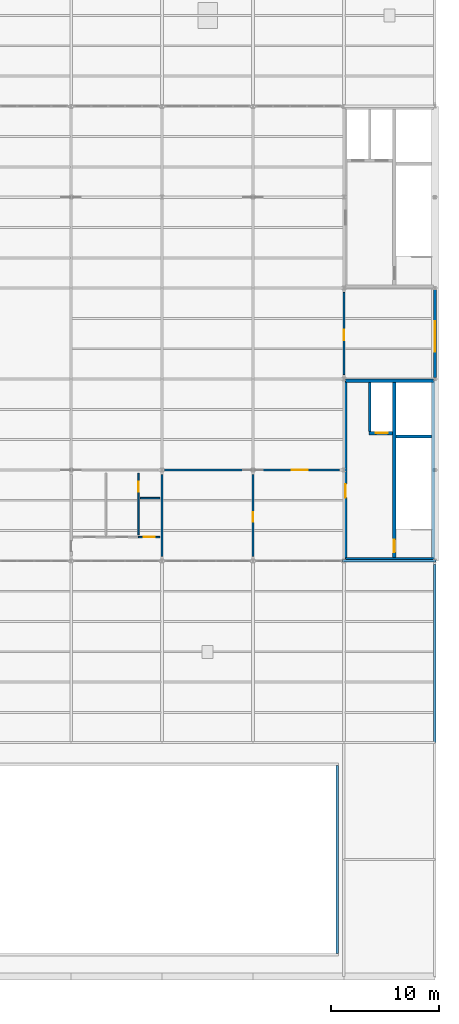
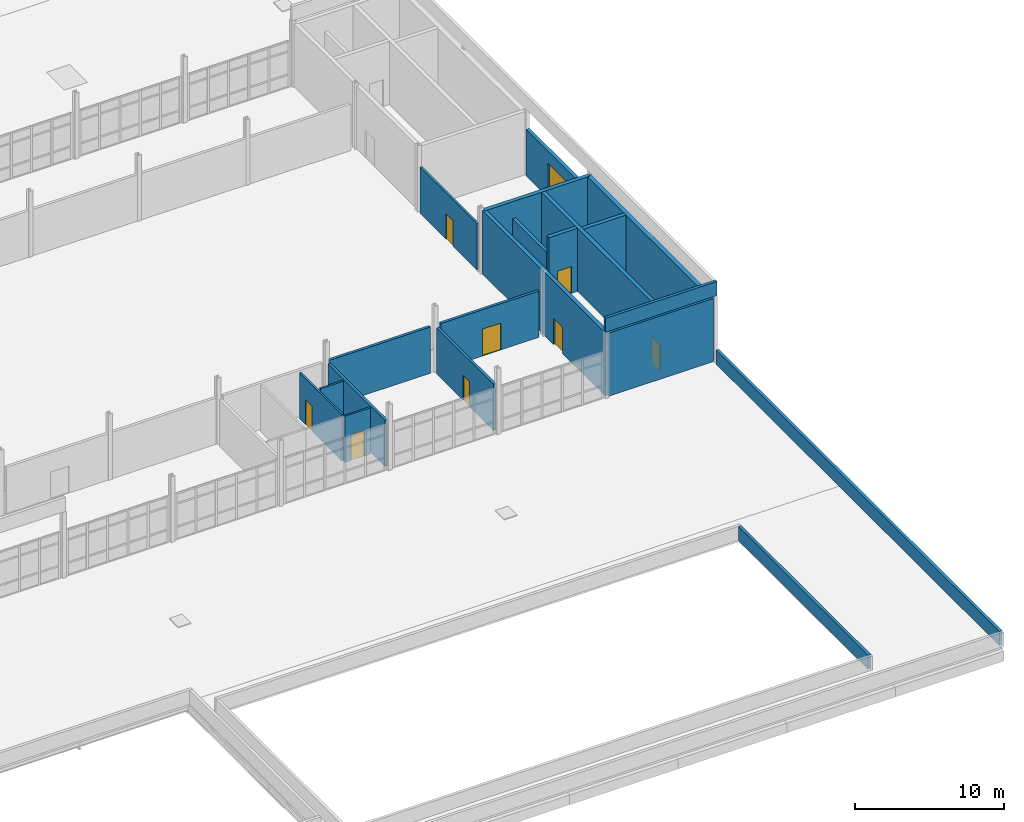
# One storey, part 30 of 33: 20 walls, 8 doors, 1 window, 9 openings.
"""IFC4 building model written with IfcOpenShell, lengths in metres."""

from ifc_helpers import new_model, si_unit, direction, frame, frame_2d, origin, place, context, subcontext, project, spatial, rectangle, extrude, material, layer, layer_set, type_object, element, fill, save


model = new_model("IFC4")

# Units and contexts
model_context = context("Model", 3, precision=1e-05, world=origin(), true_north=direction((0.0, 1.0)))
body_context = subcontext(model_context, "Body", "Model", "MODEL_VIEW")
ifc_project = project(units=[si_unit("LENGTHUNIT", "METRE"), si_unit("AREAUNIT", "SQUARE_METRE"), si_unit("VOLUMEUNIT", "CUBIC_METRE"), si_unit("PLANEANGLEUNIT", "RADIAN"), si_unit("MASSUNIT", "GRAM", prefix="KILO"), si_unit("THERMODYNAMICTEMPERATUREUNIT", "KELVIN"), si_unit("POWERUNIT", "WATT")], contexts=[model_context])

# Site, building, storey
site_placement = place(None, origin())
site = spatial("IfcSite", under=ifc_project, at=site_placement, CompositionType="ELEMENT")
building_placement = place(site_placement, origin())
building = spatial("IfcBuilding", under=site, at=building_placement, Name="Tembeka Court Mobility Hub", CompositionType="ELEMENT")
storey_placement = place(building_placement, frame((0.0, 0.0, 23.39990234375)))
storey = spatial("IfcBuildingStorey", under=building, at=storey_placement, Name="L06", CompositionType="ELEMENT", Elevation=23.39990234375)

# Wall, opening, window
ifc_material_1 = material(Name="Precast concrete C45/55", Category="concrete")
ifc_layer_1 = layer(ifc_material_1, 0.280029296875)
ifc_layer_set_1 = layer_set([ifc_layer_1], Name="Precast concrete C45/55")
wall_type_1 = type_object("IfcWallType", Name="WL-EW02", PredefinedType="STANDARD", material=ifc_layer_set_1)
wall_1_placement = place(storey_placement, frame((92.39990234375, 55.327880859375, 0.0), z_axis=(0.0, 0.0, 1.0), x_axis=(0.0, 1.0, 0.0)))
wall_1 = element("IfcWall", 1, at=wall_1_placement, inside=storey, type_object=wall_type_1, Name="External wall EW02 (EW-L06-0111)", PredefinedType="STANDARD", context=body_context, shape_type="SweptSolid", body=[
    extrude(rectangle(XDim=8.14404296875, YDim=0.280029296875, at=frame_2d((4.072021484375, 0.0))), origin(), (0.0, 0.0, 1.0), 3.795166015625),
])
opening_1_placement = place(wall_1_placement, frame((2.39990234375, 0.0, 0.800048828125)))
opening_1 = element("IfcOpeningElement", 2, at=opening_1_placement, cuts=wall_1, Name="Opening WN17", PredefinedType="OPENING", context=body_context, shape_type="SweptSolid", body=[
    extrude(rectangle(XDim=2.800048828125, YDim=2.0, at=frame_2d((1.39990234375, 1.0))), frame((0.0, 0.14990234375, 0.0), z_axis=(0.0, -1.0, 0.0), x_axis=(1.0, 0.0, 0.0)), (0.0, 0.0, 1.0), 0.300048828125),
])
ifc_material_2 = material(Name="Laminated solar-control low-E glass", Category="glass")
window_type = type_object("IfcWindowType", Name="WN-W17", PartitioningType="SINGLE_PANEL", PredefinedType="WINDOW", material=ifc_material_2)
window_placement = place(opening_1_placement, origin())
window = element("IfcWindow", 3, at=window_placement, inside=storey, type_object=window_type, Name="Window WN17-0056", OverallHeight=2.0, OverallWidth=2.800048828125, PartitioningType="SINGLE_PANEL", PredefinedType="WINDOW", context=body_context, shape_type="SweptSolid", body=[
    extrude(rectangle(XDim=2.800048828125, YDim=2.0, at=frame_2d((1.39990234375, 1.0))), frame((0.0, 0.030029296875, 0.0), z_axis=(0.0, -1.0, 0.0), x_axis=(1.0, 0.0, 0.0)), (0.0, 0.0, 1.0), 0.06005859375),
])
fill(opening_1, window)

# Walls
ifc_material_3 = material(Name="Concrete C40/50", Category="concrete")
ifc_layer_2 = layer(ifc_material_3, 0.25)
ifc_layer_set_2 = layer_set([ifc_layer_2], Name="Concrete C40/50")
wall_type_2 = type_object("IfcWallType", Name="WL-IW01", PredefinedType="PARTITIONING", material=ifc_layer_set_2)
wall_2_placement = place(storey_placement, frame((86.39990234375, 50.35009765625, 0.0), z_axis=(0.0, 0.0, 1.0), x_axis=(0.0, 1.0, 0.0)))
element("IfcWall", 4, at=wall_2_placement, inside=storey, type_object=wall_type_2, Name="Wall IW01 (IW-L06-0248)", PredefinedType="PARTITIONING", context=body_context, shape_type="SweptSolid", body=[
    extrude(rectangle(XDim=4.5498046875, YDim=0.25, at=frame_2d((2.27490234375, 0.0))), origin(), (0.0, 0.0, 1.0), 3.78515625),
])
ifc_material_4 = material(Name="Concrete blockwork masonry", Category="masonry")
ifc_layer_3 = layer(ifc_material_4, 0.199951171875)
ifc_layer_set_3 = layer_set([ifc_layer_3], Name="Concrete blockwork masonry")
wall_type_3 = type_object("IfcWallType", Name="WL-IW02", PredefinedType="PARTITIONING", material=ifc_layer_set_3)
wall_3_placement = place(storey_placement, frame((67.199951171875, 38.800048828125, 0.0), z_axis=(0.0, 0.0, 1.0), x_axis=(0.0, 1.0, 0.0)))
element("IfcWall", 5, at=wall_3_placement, inside=storey, type_object=wall_type_3, Name="Wall IW02 (IW-L06-0408)", PredefinedType="PARTITIONING", context=body_context, shape_type="SweptSolid", body=[
    extrude(rectangle(XDim=7.599853515625, YDim=0.199951171875, at=frame_2d((3.7998046875, 0.0))), origin(), (0.0, 0.0, 1.0), 3.78515625),
])
wall_4_placement = place(storey_placement, frame((67.39990234375, 46.800048828125, 0.0), z_axis=(0.0, 0.0, 1.0), x_axis=(1.0, 0.0, 0.0)))
element("IfcWall", 6, at=wall_4_placement, inside=storey, type_object=wall_type_3, Name="Wall IW02 (IW-L06-0482)", PredefinedType="PARTITIONING", context=body_context, shape_type="SweptSolid", body=[
    extrude(rectangle(XDim=7.800048828125, YDim=0.199951171875, at=frame_2d((3.89990234375, 0.0))), origin(), (0.0, 0.0, 1.0), 3.78515625),
])

# Wall, opening, door
wall_5_placement = place(storey_placement, frame((75.60009765625, 38.800048828125, 0.0), z_axis=(0.0, 0.0, 1.0), x_axis=(0.0, 1.0, 0.0)))
wall_5 = element("IfcWall", 7, at=wall_5_placement, inside=storey, type_object=wall_type_3, Name="Wall IW02 (IW-L06-0483)", PredefinedType="PARTITIONING", context=body_context, shape_type="SweptSolid", body=[
    extrude(rectangle(XDim=7.599853515625, YDim=0.199951171875, at=frame_2d((3.7998046875, 0.0))), origin(), (0.0, 0.0, 1.0), 3.78515625),
])
opening_2_placement = place(wall_5_placement, frame((3.199951171875, 0.0, 0.0)))
opening_2 = element("IfcOpeningElement", 8, at=opening_2_placement, cuts=wall_5, Name="Opening ID08", PredefinedType="OPENING", context=body_context, shape_type="SweptSolid", body=[
    extrude(rectangle(XDim=0.89990234375, YDim=2.050048828125, at=frame_2d((0.449951171875, 1.02490234375))), frame((0.0, 0.10986328125, 0.0), z_axis=(0.0, -1.0, 0.0), x_axis=(1.0, 0.0, 0.0)), (0.0, 0.0, 1.0), 0.219970703125),
])
ifc_material_5 = material(Name="Powder-coated aluminium glazed doorset", Category="aluminium")
door_type_1 = type_object("IfcDoorType", Name="DR-ID08", OperationType="NOTDEFINED", PredefinedType="DOOR", material=ifc_material_5)
door_1_placement = place(opening_2_placement, origin())
door_1 = element("IfcDoor", 9, at=door_1_placement, inside=storey, type_object=door_type_1, Name="L06 ball store door", OperationType="SINGLE_SWING_LEFT", OverallHeight=2.050048828125, OverallWidth=0.89990234375, PredefinedType="DOOR", context=body_context, shape_type="SweptSolid", body=[
    extrude(rectangle(XDim=0.89990234375, YDim=2.050048828125, at=frame_2d((0.449951171875, 1.02490234375))), frame((0.0, 0.02490234375, 0.0), z_axis=(0.0, -1.0, 0.0), x_axis=(1.0, 0.0, 0.0)), (0.0, 0.0, 1.0), 0.050048828125),
])
fill(opening_2, door_1)

wall_6_placement = place(storey_placement, frame((76.0, 46.800048828125, 0.0), z_axis=(0.0, 0.0, 1.0), x_axis=(1.0, 0.0, 0.0)))
wall_6 = element("IfcWall", 10, at=wall_6_placement, inside=storey, type_object=wall_type_3, Name="Wall IW02 (IW-L06-0487)", PredefinedType="PARTITIONING", context=body_context, shape_type="SweptSolid", body=[
    extrude(rectangle(XDim=7.60009765625, YDim=0.199951171875, at=frame_2d((3.800048828125, 0.0))), origin(), (0.0, 0.0, 1.0), 3.78515625),
])
opening_3_placement = place(wall_6_placement, frame((3.199951171875, 0.0, 0.0)))
opening_3 = element("IfcOpeningElement", 11, at=opening_3_placement, cuts=wall_6, Name="Opening ID06", PredefinedType="OPENING", context=body_context, shape_type="SweptSolid", body=[
    extrude(rectangle(XDim=1.449951171875, YDim=2.199951171875, at=frame_2d((0.72509765625, 1.10009765625))), frame((0.0, 0.10986328125, 0.0), z_axis=(0.0, -1.0, 0.0), x_axis=(1.0, 0.0, 0.0)), (0.0, 0.0, 1.0), 0.219970703125),
])
door_type_2 = type_object("IfcDoorType", Name="DR-ID06", OperationType="NOTDEFINED", PredefinedType="DOOR", material=ifc_material_5)
door_2_placement = place(opening_3_placement, origin())
door_2 = element("IfcDoor", 12, at=door_2_placement, inside=storey, type_object=door_type_2, Name="Door ID06-0257", OperationType="DOUBLE_DOOR_SINGLE_SWING", OverallHeight=2.199951171875, OverallWidth=1.449951171875, PredefinedType="DOOR", context=body_context, shape_type="SweptSolid", body=[
    extrude(rectangle(XDim=1.449951171875, YDim=2.199951171875, at=frame_2d((0.72509765625, 1.10009765625))), frame((0.0, 0.02490234375, 0.0), z_axis=(0.0, -1.0, 0.0), x_axis=(1.0, 0.0, 0.0)), (0.0, 0.0, 1.0), 0.050048828125),
])
fill(opening_3, door_2)

ifc_material_6 = material(Name="Acoustic metal-stud gypsum partition", Category="masonry")
ifc_layer_4 = layer(ifc_material_6, 0.159912109375)
ifc_layer_set_4 = layer_set([ifc_layer_4], Name="Acoustic metal-stud gypsum partition")
wall_type_4 = type_object("IfcWallType", Name="WL-IW04", PredefinedType="PARTITIONING", material=ifc_layer_set_4)
wall_7_placement = place(storey_placement, frame((84.0, 55.60009765625, 0.0), z_axis=(0.0, 0.0, 1.0), x_axis=(0.0, 1.0, 0.0)))
wall_7 = element("IfcWall", 13, at=wall_7_placement, inside=storey, type_object=wall_type_4, Name="Wall IW04 (IW-L06-0490)", PredefinedType="PARTITIONING", context=body_context, shape_type="SweptSolid", body=[
    extrude(rectangle(XDim=7.599853515625, YDim=0.159912109375, at=frame_2d((3.7998046875, 0.0))), origin(), (0.0, 0.0, 1.0), 3.78515625),
])
opening_4_placement = place(wall_7_placement, frame((3.199951171875, 0.0, 0.0)))
opening_4 = element("IfcOpeningElement", 14, at=opening_4_placement, cuts=wall_7, Name="Opening ID01", PredefinedType="OPENING", context=body_context, shape_type="SweptSolid", body=[
    extrude(rectangle(XDim=0.949951171875, YDim=2.10009765625, at=frame_2d((0.47509765625, 1.050048828125))), frame((0.0, 0.08984375, 0.0), z_axis=(0.0, -1.0, 0.0), x_axis=(1.0, 0.0, 0.0)), (0.0, 0.0, 1.0), 0.179931640625),
])
door_type_3 = type_object("IfcDoorType", Name="DR-ID01", OperationType="NOTDEFINED", PredefinedType="DOOR", material=ifc_material_5)
door_3_placement = place(opening_4_placement, origin())
door_3 = element("IfcDoor", 15, at=door_3_placement, inside=storey, type_object=door_type_3, Name="Door ID01-0260", OperationType="SINGLE_SWING_RIGHT", OverallHeight=2.10009765625, OverallWidth=0.949951171875, PredefinedType="DOOR", context=body_context, shape_type="SweptSolid", body=[
    extrude(rectangle(XDim=0.949951171875, YDim=2.10009765625, at=frame_2d((0.47509765625, 1.050048828125))), frame((0.0, 0.02490234375, 0.0), z_axis=(0.0, -1.0, 0.0), x_axis=(1.0, 0.0, 0.0)), (0.0, 0.0, 1.0), 0.050048828125),
])
fill(opening_4, door_3)

ifc_material_7 = material(Name="Moisture-resistant gypsum partition", Category="masonry")
ifc_layer_5 = layer(ifc_material_7, 0.139892578125)
ifc_layer_set_5 = layer_set([ifc_layer_5], Name="Moisture-resistant gypsum partition")
wall_type_5 = type_object("IfcWallType", Name="WL-IW05", PredefinedType="PARTITIONING", material=ifc_layer_set_5)
wall_8_placement = place(storey_placement, frame((65.0, 40.60009765625, 0.0), z_axis=(0.0, 0.0, 1.0), x_axis=(1.0, 0.0, 0.0)))
wall_8 = element("IfcWall", 16, at=wall_8_placement, inside=storey, type_object=wall_type_5, Name="Wall IW05 (IW-L06-0411)", PredefinedType="PARTITIONING", context=body_context, shape_type="SweptSolid", body=[
    extrude(rectangle(XDim=2.0, YDim=0.139892578125, at=frame_2d((1.0, 0.0))), origin(), (0.0, 0.0, 1.0), 3.78515625),
])
opening_5_placement = place(wall_8_placement, frame((0.5, 0.0, 0.0)))
opening_5 = element("IfcOpeningElement", 17, at=opening_5_placement, cuts=wall_8, Name="Opening ID02", PredefinedType="OPENING", context=body_context, shape_type="SweptSolid", body=[
    extrude(rectangle(XDim=1.0, YDim=2.10009765625, at=frame_2d((0.5, 1.050048828125))), frame((0.0, 0.080078125, 0.0), z_axis=(0.0, -1.0, 0.0), x_axis=(1.0, 0.0, 0.0)), (0.0, 0.0, 1.0), 0.159912109375),
])
door_type_4 = type_object("IfcDoorType", Name="DR-ID02", OperationType="NOTDEFINED", PredefinedType="DOOR", material=ifc_material_5)
door_4_placement = place(opening_5_placement, origin())
door_4 = element("IfcDoor", 18, at=door_4_placement, inside=storey, type_object=door_type_4, Name="L06 accessible unisex WC door", OperationType="SINGLE_SWING_LEFT", OverallHeight=2.10009765625, OverallWidth=1.0, PredefinedType="DOOR", context=body_context, shape_type="SweptSolid", body=[
    extrude(rectangle(XDim=1.0, YDim=2.10009765625, at=frame_2d((0.5, 1.050048828125))), frame((0.0, 0.02490234375, 0.0), z_axis=(0.0, -1.0, 0.0), x_axis=(1.0, 0.0, 0.0)), (0.0, 0.0, 1.0), 0.050048828125),
])
fill(opening_5, door_4)

wall_9_placement = place(storey_placement, frame((65.0, 40.800048828125, 0.0), z_axis=(0.0, 0.0, 1.0), x_axis=(0.0, 1.0, 0.0)))
wall_9 = element("IfcWall", 19, at=wall_9_placement, inside=storey, type_object=wall_type_5, Name="Wall IW05 (IW-L06-0413)", PredefinedType="PARTITIONING", context=body_context, shape_type="SweptSolid", body=[
    extrude(rectangle(XDim=5.699951171875, YDim=0.139892578125, at=frame_2d((2.85009765625, 0.0))), origin(), (0.0, 0.0, 1.0), 3.78515625),
])
opening_6_placement = place(wall_9_placement, frame((4.0, 0.0, 0.0)))
opening_6 = element("IfcOpeningElement", 20, at=opening_6_placement, cuts=wall_9, Name="Opening ID08", PredefinedType="OPENING", context=body_context, shape_type="SweptSolid", body=[
    extrude(rectangle(XDim=0.89990234375, YDim=2.050048828125, at=frame_2d((0.449951171875, 1.02490234375))), frame((0.0, 0.080078125, 0.0), z_axis=(0.0, -1.0, 0.0), x_axis=(1.0, 0.0, 0.0)), (0.0, 0.0, 1.0), 0.159912109375),
])
door_5_placement = place(opening_6_placement, origin())
door_5 = element("IfcDoor", 21, at=door_5_placement, inside=storey, type_object=door_type_1, Name="L06 cleaner cupboard door", OperationType="SINGLE_SWING_RIGHT", OverallHeight=2.050048828125, OverallWidth=0.89990234375, PredefinedType="DOOR", context=body_context, shape_type="SweptSolid", body=[
    extrude(rectangle(XDim=0.89990234375, YDim=2.050048828125, at=frame_2d((0.449951171875, 1.02490234375))), frame((0.0, 0.02490234375, 0.0), z_axis=(0.0, -1.0, 0.0), x_axis=(1.0, 0.0, 0.0)), (0.0, 0.0, 1.0), 0.050048828125),
])
fill(opening_6, door_5)

# Walls
wall_10_placement = place(storey_placement, frame((65.199951171875, 44.199951171875, 0.0), z_axis=(0.0, 0.0, 1.0), x_axis=(1.0, 0.0, 0.0)))
element("IfcWall", 22, at=wall_10_placement, inside=storey, type_object=wall_type_5, Name="Wall IW05 (IW-L06-0414)", PredefinedType="PARTITIONING", context=body_context, shape_type="SweptSolid", body=[
    extrude(rectangle(XDim=1.800048828125, YDim=0.139892578125, at=frame_2d((0.89990234375, 0.0))), origin(), (0.0, 0.0, 1.0), 3.78515625),
])
ifc_layer_6 = layer(ifc_material_1, 0.219970703125)
ifc_layer_set_6 = layer_set([ifc_layer_6], Name="Precast concrete C45/55")
wall_type_6 = type_object("IfcWallType", Name="WL-PP01", PredefinedType="PARAPET", material=ifc_layer_set_6)
wall_11_placement = place(storey_placement, frame((92.39990234375, 0.114990234375, 0.0), z_axis=(0.0, 0.0, 1.0), x_axis=(0.0, 1.0, 0.0)))
element("IfcWall", 23, at=wall_11_placement, inside=storey, type_object=wall_type_6, Name="Roof parapet wall PP01-10", PredefinedType="PARAPET", context=body_context, shape_type="SweptSolid", body=[
    extrude(rectangle(XDim=37.969970703125, YDim=0.219970703125, at=frame_2d((18.98486328125, 0.0))), origin(), (0.0, 0.0, 1.0), 1.150146484375),
])
wall_12_placement = place(storey_placement, frame((83.39990234375, 2.114990234375, 0.0), z_axis=(0.0, 0.0, 1.0), x_axis=(0.0, 1.0, 0.0)))
element("IfcWall", 24, at=wall_12_placement, inside=storey, type_object=wall_type_6, Name="Roof parapet wall PP01-23", PredefinedType="PARAPET", context=body_context, shape_type="SweptSolid", body=[
    extrude(rectangle(XDim=17.3701171875, YDim=0.219970703125, at=frame_2d((8.68505859375, 0.0))), origin(), (0.0, 0.0, 1.0), 1.150146484375),
])
wall_13_placement = place(storey_placement, frame((83.889892578125, 38.39990234375, 5.400146484375), z_axis=(0.0, 0.0, 1.0), x_axis=(1.0, 0.0, 0.0)))
element("IfcWall", 25, at=wall_13_placement, inside=storey, type_object=wall_type_6, Name="Roof parapet wall PP01-37", PredefinedType="PARAPET", context=body_context, shape_type="SweptSolid", body=[
    extrude(rectangle(XDim=8.6201171875, YDim=0.219970703125, at=frame_2d((4.31005859375, 0.0))), origin(), (0.0, 0.0, 1.0), 1.14990234375),
])
ifc_layer_7 = layer(ifc_material_3, 0.300048828125)
ifc_layer_set_7 = layer_set([ifc_layer_7], Name="Concrete C40/50")
wall_type_7 = type_object("IfcWallType", Name="WL-SW01", PredefinedType="SHEAR", material=ifc_layer_set_7)
for number, where, z_axis, x_axis, name in (
    (26, (84.152587890625, 38.550048828125, 0.0), (0.0, 0.0, 1.0), (1.0, 0.0, 0.0), "Wall SW01 (IW-L06-0241)"),
    (27, (84.152587890625, 55.050048828125, 0.0), (0.0, 0.0, 1.0), (1.0, 0.0, 0.0), "Wall SW01 (IW-L06-0242)"),
):
    element("IfcWall", number, at=place(storey_placement, frame(where, z_axis=z_axis, x_axis=x_axis)), inside=storey, type_object=wall_type_7, Name=name, PredefinedType="SHEAR", context=body_context, shape_type="SweptSolid", body=[
        extrude(rectangle(XDim=8.121337890625, YDim=0.300048828125, at=frame_2d((4.060546875, 0.0))), origin(), (0.0, 0.0, 1.0), 5.170166015625),
    ])
wall_14_placement = place(storey_placement, frame((88.800048828125, 49.89990234375, 0.0), z_axis=(0.0, 0.0, 1.0), x_axis=(1.0, 0.0, 0.0)))
element("IfcWall", 28, at=wall_14_placement, inside=storey, type_object=wall_type_7, Name="Wall SW01 (IW-L06-0243)", PredefinedType="SHEAR", context=body_context, shape_type="SweptSolid", body=[
    extrude(rectangle(XDim=3.300048828125, YDim=0.300048828125, at=frame_2d((1.64990234375, 0.0))), origin(), (0.0, 0.0, 1.0), 5.170166015625),
])

# Wall, opening, door
wall_15_placement = place(storey_placement, frame((84.14990234375, 38.55859375, 0.0), z_axis=(0.0, 0.0, 1.0), x_axis=(0.0, 1.0, 0.0)))
wall_15 = element("IfcWall", 29, at=wall_15_placement, inside=storey, type_object=wall_type_7, Name="Wall SW01 (IW-L06-0245)", PredefinedType="SHEAR", context=body_context, shape_type="SweptSolid", body=[
    extrude(rectangle(XDim=16.48291015625, YDim=0.300048828125, at=frame_2d((8.241455078125, 0.0))), origin(), (0.0, 0.0, 1.0), 5.170166015625),
])
opening_7_placement = place(wall_15_placement, frame((5.69140625, 0.0, 0.0)))
opening_7 = element("IfcOpeningElement", 30, at=opening_7_placement, cuts=wall_15, Name="Opening FD01", PredefinedType="OPENING", context=body_context, shape_type="SweptSolid", body=[
    extrude(rectangle(XDim=1.25, YDim=2.14990234375, at=frame_2d((0.625, 1.074951171875))), frame((0.0, 0.16015625, 0.0), z_axis=(0.0, -1.0, 0.0), x_axis=(1.0, 0.0, 0.0)), (0.0, 0.0, 1.0), 0.320068359375),
])
ifc_material_8 = material(Name="Galvanised steel fire/shutter doorset", Category="steel")
door_type_5 = type_object("IfcDoorType", Name="DR-FD01", OperationType="NOTDEFINED", PredefinedType="DOOR", material=ifc_material_8)
door_6_placement = place(opening_7_placement, origin())
door_6 = element("IfcDoor", 31, at=door_6_placement, inside=storey, type_object=door_type_5, Name="Door FD01-0111", OperationType="SINGLE_SWING_RIGHT", OverallHeight=2.14990234375, OverallWidth=1.25, PredefinedType="DOOR", context=body_context, shape_type="SweptSolid", body=[
    extrude(rectangle(XDim=1.25, YDim=2.14990234375, at=frame_2d((0.625, 1.074951171875))), frame((0.0, 0.02490234375, 0.0), z_axis=(0.0, -1.0, 0.0), x_axis=(1.0, 0.0, 0.0)), (0.0, 0.0, 1.0), 0.050048828125),
])
fill(opening_7, door_6)

wall_16_placement = place(storey_placement, frame((88.64990234375, 38.699951171875, 0.0), z_axis=(0.0, 0.0, 1.0), x_axis=(0.0, 1.0, 0.0)))
wall_16 = element("IfcWall", 32, at=wall_16_placement, inside=storey, type_object=wall_type_7, Name="Wall SW01 (IW-L06-0246)", PredefinedType="SHEAR", context=body_context, shape_type="SweptSolid", body=[
    extrude(rectangle(XDim=16.199951171875, YDim=0.300048828125, at=frame_2d((8.10009765625, 0.0))), origin(), (0.0, 0.0, 1.0), 5.170166015625),
])
opening_8_placement = place(wall_16_placement, frame((0.5, 0.0, 0.0)))
opening_8 = element("IfcOpeningElement", 33, at=opening_8_placement, cuts=wall_16, Name="Opening FD03", PredefinedType="OPENING", context=body_context, shape_type="SweptSolid", body=[
    extrude(rectangle(XDim=1.14990234375, YDim=2.14990234375, at=frame_2d((0.574951171875, 1.074951171875))), frame((0.0, 0.16015625, 0.0), z_axis=(0.0, -1.0, 0.0), x_axis=(1.0, 0.0, 0.0)), (0.0, 0.0, 1.0), 0.320068359375),
])
door_type_6 = type_object("IfcDoorType", Name="DR-FD03", OperationType="NOTDEFINED", PredefinedType="DOOR", material=ifc_material_8)
door_7_placement = place(opening_8_placement, origin())
door_7 = element("IfcDoor", 34, at=door_7_placement, inside=storey, type_object=door_type_6, Name="Door FD03-0112", OperationType="SINGLE_SWING_RIGHT", OverallHeight=2.14990234375, OverallWidth=1.14990234375, PredefinedType="DOOR", context=body_context, shape_type="SweptSolid", body=[
    extrude(rectangle(XDim=1.14990234375, YDim=2.14990234375, at=frame_2d((0.574951171875, 1.074951171875))), frame((0.0, 0.02490234375, 0.0), z_axis=(0.0, -1.0, 0.0), x_axis=(1.0, 0.0, 0.0)), (0.0, 0.0, 1.0), 0.050048828125),
])
fill(opening_8, door_7)

wall_17_placement = place(storey_placement, frame((86.300048828125, 50.199951171875, 0.0), z_axis=(0.0, 0.0, 1.0), x_axis=(1.0, 0.0, 0.0)))
wall_17 = element("IfcWall", 35, at=wall_17_placement, inside=storey, type_object=wall_type_7, Name="Wall SW01 (IW-L06-0247)", PredefinedType="SHEAR", context=body_context, shape_type="SweptSolid", body=[
    extrude(rectangle(XDim=2.199951171875, YDim=0.300048828125, at=frame_2d((1.10009765625, 0.0))), origin(), (0.0, 0.0, 1.0), 5.170166015625),
])
opening_9_placement = place(wall_17_placement, frame((0.64990234375, 0.0, 0.0)))
opening_9 = element("IfcOpeningElement", 36, at=opening_9_placement, cuts=wall_17, Name="Opening LD01", PredefinedType="OPENING", context=body_context, shape_type="SweptSolid", body=[
    extrude(rectangle(XDim=1.10009765625, YDim=2.199951171875, at=frame_2d((0.550048828125, 1.10009765625))), frame((0.0, 0.16015625, 0.0), z_axis=(0.0, -1.0, 0.0), x_axis=(1.0, 0.0, 0.0)), (0.0, 0.0, 1.0), 0.320068359375),
])
door_type_7 = type_object("IfcDoorType", Name="DR-LD01", OperationType="SLIDING_TO_LEFT", PredefinedType="DOOR", material=ifc_material_8)
door_8_placement = place(opening_9_placement, origin())
door_8 = element("IfcDoor", 37, at=door_8_placement, inside=storey, type_object=door_type_7, Name="Lift LF06 landing door L06", OperationType="SLIDING_TO_LEFT", OverallHeight=2.199951171875, OverallWidth=1.10009765625, PredefinedType="DOOR", context=body_context, shape_type="SweptSolid", body=[
    extrude(rectangle(XDim=1.10009765625, YDim=2.199951171875, at=frame_2d((0.550048828125, 1.10009765625))), frame((0.0, 0.02490234375, 0.0), z_axis=(0.0, -1.0, 0.0), x_axis=(1.0, 0.0, 0.0)), (0.0, 0.0, 1.0), 0.050048828125),
])
fill(opening_9, door_8)

# Wall
ifc_layer_8 = layer(ifc_material_3, 0.35009765625)
ifc_layer_set_8 = layer_set([ifc_layer_8], Name="Concrete C40/50")
wall_type_8 = type_object("IfcWallType", Name="WL-SW02", PredefinedType="SHEAR", material=ifc_layer_set_8)
wall_18_placement = place(storey_placement, frame((92.25, 38.528076171875, 0.0), z_axis=(0.0, 0.0, 1.0), x_axis=(0.0, 1.0, 0.0)))
element("IfcWall", 38, at=wall_18_placement, inside=storey, type_object=wall_type_8, Name="Wall SW02 (IW-L06-0244)", PredefinedType="SHEAR", context=body_context, shape_type="SweptSolid", body=[
    extrude(rectangle(XDim=16.5439453125, YDim=0.35009765625, at=frame_2d((8.27197265625, 0.0))), origin(), (0.0, 0.0, 1.0), 5.170166015625),
])

save(model, "model.ifc")
